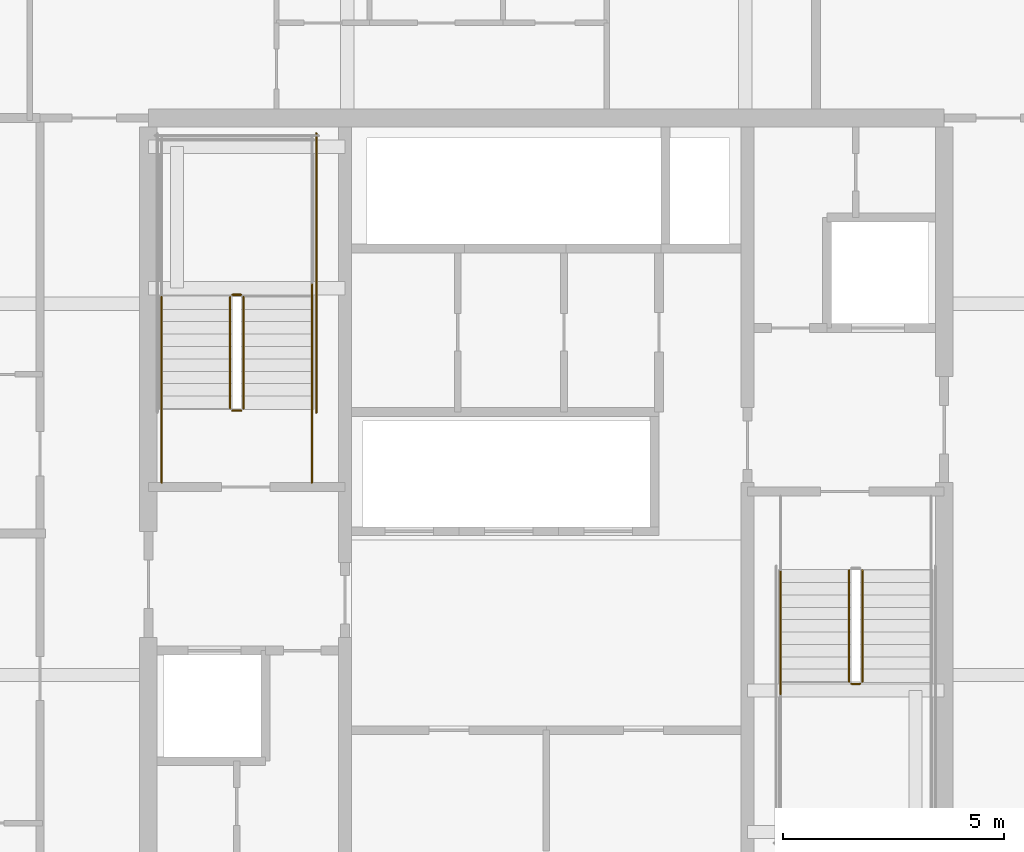
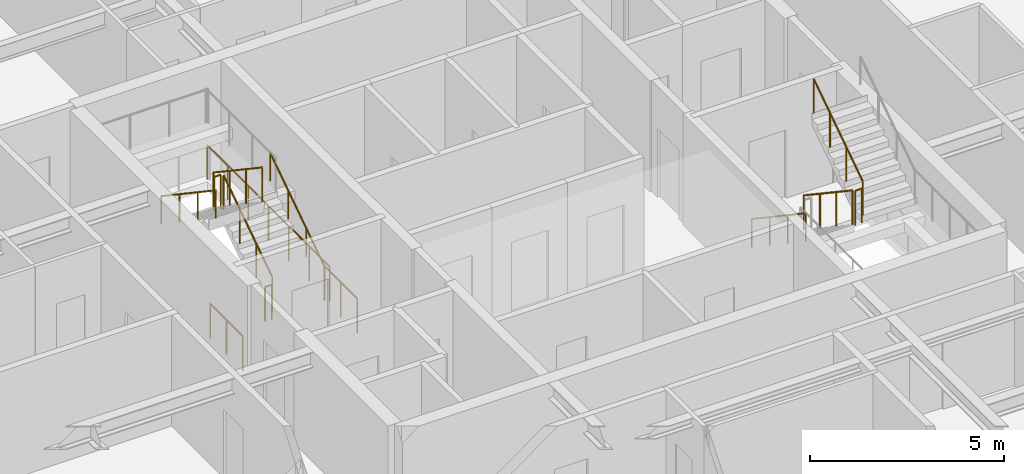
# One storey, part 35 of 38: 13 railings.
"""IFC4 building model written with IfcOpenShell, lengths in metres."""

from ifc_helpers import new_model, si_unit, direction, frame, origin, origin_2d, place, context, subcontext, project, spatial, circle, extrude, material, type_object, element, save


model = new_model("IFC4")

# Units and contexts
model_context = context("Model", 3, precision=1e-05, world=origin(), true_north=direction((0.0, 1.0)))
body_context = subcontext(model_context, "Body", "Model", "MODEL_VIEW")
ifc_project = project(units=[si_unit("LENGTHUNIT", "METRE"), si_unit("AREAUNIT", "SQUARE_METRE"), si_unit("VOLUMEUNIT", "CUBIC_METRE"), si_unit("PLANEANGLEUNIT", "RADIAN"), si_unit("MASSUNIT", "GRAM", prefix="KILO")], contexts=[model_context])

# Site, building, storey
site_placement = place(None, origin())
site = spatial("IfcSite", under=ifc_project, at=site_placement, CompositionType="ELEMENT")
building_placement = place(site_placement, origin())
building = spatial("IfcBuilding", under=site, at=building_placement, Name="Serunith Strait Residences", CompositionType="ELEMENT")
storey_placement = place(building_placement, frame((0.0, 0.0, 176.39990234375)))
storey = spatial("IfcBuildingStorey", under=building, at=storey_placement, Name="L44", CompositionType="ELEMENT", Elevation=176.39990234375)

# Railings
ifc_material = material(Name="Brushed stainless steel 316L", Category="steel")
railing_type_1 = type_object("IfcRailingType", Name="RLG-STAIR-GUARD", PredefinedType="BALUSTRADE", material=ifc_material)
railing_1_placement = place(storey_placement, frame((25.550048828125, 27.030029296875, 0.1875)))
element("IfcRailing", 1, at=railing_1_placement, inside=storey, type_object=railing_type_1, Name="L44 ST-1 stair guard 1", PredefinedType="BALUSTRADE", context=body_context, shape_type="SweptSolid", body=[
    extrude(circle(Radius=0.02392578125, at=origin_2d()), frame((0.0, 0.001708984375, 1.0771484375), z_axis=(0.0, 0.830909170722, 0.55640807867), x_axis=(-1.0, 0.0, 0.0)), (0.0, 0.0, 1.0), 3.02880859375),
    extrude(circle(Radius=0.02099609375, at=origin_2d()), origin(), (0.0, 0.0, 1.0), 1.050048828125),
    extrude(circle(Radius=0.02099609375, at=origin_2d()), frame((0.0, 0.840087890625, 0.5625)), (0.0, 0.0, 1.0), 1.050048828125),
    extrude(circle(Radius=0.02099609375, at=origin_2d()), frame((0.0, 1.679931640625, 1.125)), (0.0, 0.0, 1.0), 1.050048828125),
    extrude(circle(Radius=0.02099609375, at=origin_2d()), frame((0.0, 2.52001953125, 1.6875)), (0.0, 0.0, 1.0), 1.050048828125),
])
railing_2_placement = place(storey_placement, frame((25.5, 29.60009765625, 1.875)))
element("IfcRailing", 2, at=railing_2_placement, inside=storey, type_object=railing_type_1, Name="L44 ST-1 stair guard 2", PredefinedType="BALUSTRADE", context=body_context, shape_type="SweptSolid", body=[
    extrude(circle(Radius=0.02392578125, at=origin_2d()), frame((-0.001953125, 0.0, 1.076171875), z_axis=(-1.0, 0.0, 0.0), x_axis=(0.0, -1.0, 0.0)), (0.0, 0.0, 1.0), 0.196044921875),
    extrude(circle(Radius=0.02099609375, at=origin_2d()), origin(), (0.0, 0.0, 1.0), 1.050048828125),
    extrude(circle(Radius=0.02099609375, at=origin_2d()), frame((-0.199951171875, 0.0, 0.0)), (0.0, 0.0, 1.0), 1.050048828125),
])
railing_3_placement = place(storey_placement, frame((25.25, 29.550048828125, 2.0625)))
element("IfcRailing", 3, at=railing_3_placement, inside=storey, type_object=railing_type_1, Name="L44 ST-1 stair guard 6", PredefinedType="BALUSTRADE", context=body_context, shape_type="SweptSolid", body=[
    extrude(circle(Radius=0.02392578125, at=origin_2d()), frame((0.0, -0.001708984375, 1.0771484375), z_axis=(0.0, -0.830909170722, 0.55640807867), x_axis=(1.0, 0.0, 0.0)), (0.0, 0.0, 1.0), 3.02880859375),
    extrude(circle(Radius=0.02099609375, at=origin_2d()), origin(), (0.0, 0.0, 1.0), 1.050048828125),
    extrude(circle(Radius=0.02099609375, at=origin_2d()), frame((0.0, -0.840087890625, 0.5625)), (0.0, 0.0, 1.0), 1.050048828125),
    extrude(circle(Radius=0.02099609375, at=origin_2d()), frame((0.0, -1.679931640625, 1.125)), (0.0, 0.0, 1.0), 1.050048828125),
    extrude(circle(Radius=0.02099609375, at=origin_2d()), frame((0.0, -2.52001953125, 1.6875)), (0.0, 0.0, 1.0), 1.050048828125),
])
railing_4_placement = place(storey_placement, frame((25.5, 26.97998046875, 0.0)))
element("IfcRailing", 4, at=railing_4_placement, inside=storey, type_object=railing_type_1, Name="L44 ST-1 stair guard 7", PredefinedType="BALUSTRADE", context=body_context, shape_type="SweptSolid", body=[
    extrude(circle(Radius=0.02392578125, at=origin_2d()), frame((-0.001953125, 0.0, 1.076171875), z_axis=(-1.0, 0.0, 0.0), x_axis=(0.0, -1.0, 0.0)), (0.0, 0.0, 1.0), 0.196044921875),
    extrude(circle(Radius=0.02099609375, at=origin_2d()), origin(), (0.0, 0.0, 1.0), 1.050048828125),
    extrude(circle(Radius=0.02099609375, at=origin_2d()), frame((-0.199951171875, 0.0, 0.0)), (0.0, 0.0, 1.0), 1.050048828125),
])
for number, where, name in (
    (5, (27.10009765625, 25.35009765625, 0.0), "L44 ST-1 stair guard 8"),
    (6, (23.699951171875, 25.35009765625, 0.0), "L44 ST-1 stair guard 9"),
):
    element("IfcRailing", number, at=place(storey_placement, frame(where)), inside=storey, type_object=railing_type_1, Name=name, PredefinedType="BALUSTRADE", context=body_context, shape_type="SweptSolid", body=[
        extrude(circle(Radius=0.02392578125, at=origin_2d()), frame((0.0, 0.001953125, 1.076171875), z_axis=(0.0, 1.0, 0.0), x_axis=(-1.0, 0.0, 0.0)), (0.0, 0.0, 1.0), 1.676025390625),
        extrude(circle(Radius=0.02099609375, at=origin_2d()), origin(), (0.0, 0.0, 1.0), 1.050048828125),
        extrude(circle(Radius=0.02099609375, at=origin_2d()), frame((0.0, 0.83984375, 0.0)), (0.0, 0.0, 1.0), 1.050048828125),
        extrude(circle(Radius=0.02099609375, at=origin_2d()), frame((0.0, 1.679931640625, 0.0)), (0.0, 0.0, 1.0), 1.050048828125),
    ])
railing_5_placement = place(storey_placement, frame((27.199951171875, 26.929931640625, 0.0)))
element("IfcRailing", 7, at=railing_5_placement, inside=storey, type_object=railing_type_1, Name="L44 ST-1 stair guard 10", PredefinedType="BALUSTRADE", context=body_context, shape_type="SweptSolid", body=[
    extrude(circle(Radius=0.02392578125, at=origin_2d()), frame((0.0, 0.001953125, 1.076171875), z_axis=(0.0, 1.0, 0.0), x_axis=(-1.0, 0.0, 0.0)), (0.0, 0.0, 1.0), 6.316162109375),
    extrude(circle(Radius=0.02099609375, at=origin_2d()), origin(), (0.0, 0.0, 1.0), 1.050048828125),
    extrude(circle(Radius=0.02099609375, at=origin_2d()), frame((0.0, 1.05322265625, 0.0)), (0.0, 0.0, 1.0), 1.050048828125),
    extrude(circle(Radius=0.02099609375, at=origin_2d()), frame((0.0, 2.106689453125, 0.0)), (0.0, 0.0, 1.0), 1.050048828125),
    extrude(circle(Radius=0.02099609375, at=origin_2d()), frame((0.0, 3.16015625, 0.0)), (0.0, 0.0, 1.0), 1.050048828125),
    extrude(circle(Radius=0.02099609375, at=origin_2d()), frame((0.0, 4.21337890625, 0.0)), (0.0, 0.0, 1.0), 1.050048828125),
    extrude(circle(Radius=0.02099609375, at=origin_2d()), frame((0.0, 5.2666015625, 0.0)), (0.0, 0.0, 1.0), 1.050048828125),
    extrude(circle(Radius=0.02099609375, at=origin_2d()), frame((0.0, 6.320068359375, 0.0)), (0.0, 0.0, 1.0), 1.050048828125),
])
railing_6_placement = place(storey_placement, frame((39.25, 23.3701171875, 0.1875)))
element("IfcRailing", 8, at=railing_6_placement, inside=storey, type_object=railing_type_1, Name="L44 ST-2 stair guard 1", PredefinedType="BALUSTRADE", context=body_context, shape_type="SweptSolid", body=[
    extrude(circle(Radius=0.02392578125, at=origin_2d()), frame((0.0, -0.001708984375, 1.0771484375), z_axis=(0.0, -0.830909170722, 0.55640807867), x_axis=(1.0, 0.0, 0.0)), (0.0, 0.0, 1.0), 3.02880859375),
    extrude(circle(Radius=0.02099609375, at=origin_2d()), origin(), (0.0, 0.0, 1.0), 1.050048828125),
    extrude(circle(Radius=0.02099609375, at=origin_2d()), frame((0.0, -0.840087890625, 0.5625)), (0.0, 0.0, 1.0), 1.050048828125),
    extrude(circle(Radius=0.02099609375, at=origin_2d()), frame((0.0, -1.679931640625, 1.125)), (0.0, 0.0, 1.0), 1.050048828125),
    extrude(circle(Radius=0.02099609375, at=origin_2d()), frame((0.0, -2.52001953125, 1.6875)), (0.0, 0.0, 1.0), 1.050048828125),
])
railing_7_placement = place(storey_placement, frame((39.300048828125, 20.800048828125, 1.875)))
element("IfcRailing", 9, at=railing_7_placement, inside=storey, type_object=railing_type_1, Name="L44 ST-2 stair guard 2", PredefinedType="BALUSTRADE", context=body_context, shape_type="SweptSolid", body=[
    extrude(circle(Radius=0.02392578125, at=origin_2d()), frame((0.001953125, 0.0, 1.076171875), z_axis=(1.0, 0.0, 0.0), x_axis=(0.0, 1.0, 0.0)), (0.0, 0.0, 1.0), 0.196044921875),
    extrude(circle(Radius=0.02099609375, at=origin_2d()), origin(), (0.0, 0.0, 1.0), 1.050048828125),
    extrude(circle(Radius=0.02099609375, at=origin_2d()), frame((0.199951171875, 0.0, 0.0)), (0.0, 0.0, 1.0), 1.050048828125),
])
railing_8_placement = place(storey_placement, frame((39.550048828125, 20.85009765625, 2.0625)))
element("IfcRailing", 10, at=railing_8_placement, inside=storey, type_object=railing_type_1, Name="L44 ST-2 stair guard 6", PredefinedType="BALUSTRADE", context=body_context, shape_type="SweptSolid", body=[
    extrude(circle(Radius=0.02392578125, at=origin_2d()), frame((0.0, 0.001708984375, 1.0771484375), z_axis=(0.0, 0.830909170722, 0.55640807867), x_axis=(-1.0, 0.0, 0.0)), (0.0, 0.0, 1.0), 3.02880859375),
    extrude(circle(Radius=0.02099609375, at=origin_2d()), origin(), (0.0, 0.0, 1.0), 1.050048828125),
    extrude(circle(Radius=0.02099609375, at=origin_2d()), frame((0.0, 0.840087890625, 0.5625)), (0.0, 0.0, 1.0), 1.050048828125),
    extrude(circle(Radius=0.02099609375, at=origin_2d()), frame((0.0, 1.679931640625, 1.125)), (0.0, 0.0, 1.0), 1.050048828125),
    extrude(circle(Radius=0.02099609375, at=origin_2d()), frame((0.0, 2.52001953125, 1.6875)), (0.0, 0.0, 1.0), 1.050048828125),
])
railing_type_2 = type_object("IfcRailingType", Name="RLG-STAIR-HR", PredefinedType="HANDRAIL", material=ifc_material)
railing_9_placement = place(storey_placement, frame((27.10009765625, 27.030029296875, 0.1875)))
element("IfcRailing", 11, at=railing_9_placement, inside=storey, type_object=railing_type_2, Name="L44 ST-1 stair handrail 1", PredefinedType="HANDRAIL", context=body_context, shape_type="SweptSolid", body=[
    extrude(circle(Radius=0.02392578125, at=origin_2d()), frame((0.0, 0.001708984375, 0.876953125), z_axis=(0.0, 0.830208209119, 0.557453432594), x_axis=(-1.0, 0.0, 0.0)), (0.0, 0.0, 1.0), 3.36865234375),
    extrude(circle(Radius=0.02099609375, at=origin_2d()), origin(), (0.0, 0.0, 1.0), 0.849853515625),
    extrude(circle(Radius=0.02099609375, at=origin_2d()), frame((0.0, 0.933349609375, 0.626708984375)), (0.0, 0.0, 1.0), 0.849853515625),
    extrude(circle(Radius=0.02099609375, at=origin_2d()), frame((0.0, 1.86669921875, 1.25341796875)), (0.0, 0.0, 1.0), 0.849853515625),
    extrude(circle(Radius=0.02099609375, at=origin_2d()), frame((0.0, 2.800048828125, 1.880126953125)), (0.0, 0.0, 1.0), 0.849853515625),
])
for number, where, name in (
    (12, (23.699951171875, 29.550048828125, 2.0625), "L44 ST-1 stair handrail 2"),
    (13, (37.699951171875, 23.3701171875, 0.1875), "L44 ST-2 stair handrail 1"),
):
    element("IfcRailing", number, at=place(storey_placement, frame(where)), inside=storey, type_object=railing_type_2, Name=name, PredefinedType="HANDRAIL", context=body_context, shape_type="SweptSolid", body=[
        extrude(circle(Radius=0.02392578125, at=origin_2d()), frame((0.0, -0.001708984375, 0.876953125), z_axis=(0.0, -0.830208209119, 0.557453432594), x_axis=(1.0, 0.0, 0.0)), (0.0, 0.0, 1.0), 3.36865234375),
        extrude(circle(Radius=0.02099609375, at=origin_2d()), origin(), (0.0, 0.0, 1.0), 0.849853515625),
        extrude(circle(Radius=0.02099609375, at=origin_2d()), frame((0.0, -0.933349609375, 0.626708984375)), (0.0, 0.0, 1.0), 0.849853515625),
        extrude(circle(Radius=0.02099609375, at=origin_2d()), frame((0.0, -1.86669921875, 1.25341796875)), (0.0, 0.0, 1.0), 0.849853515625),
        extrude(circle(Radius=0.02099609375, at=origin_2d()), frame((0.0, -2.800048828125, 1.880126953125)), (0.0, 0.0, 1.0), 0.849853515625),
    ])

save(model, "model.ifc")
